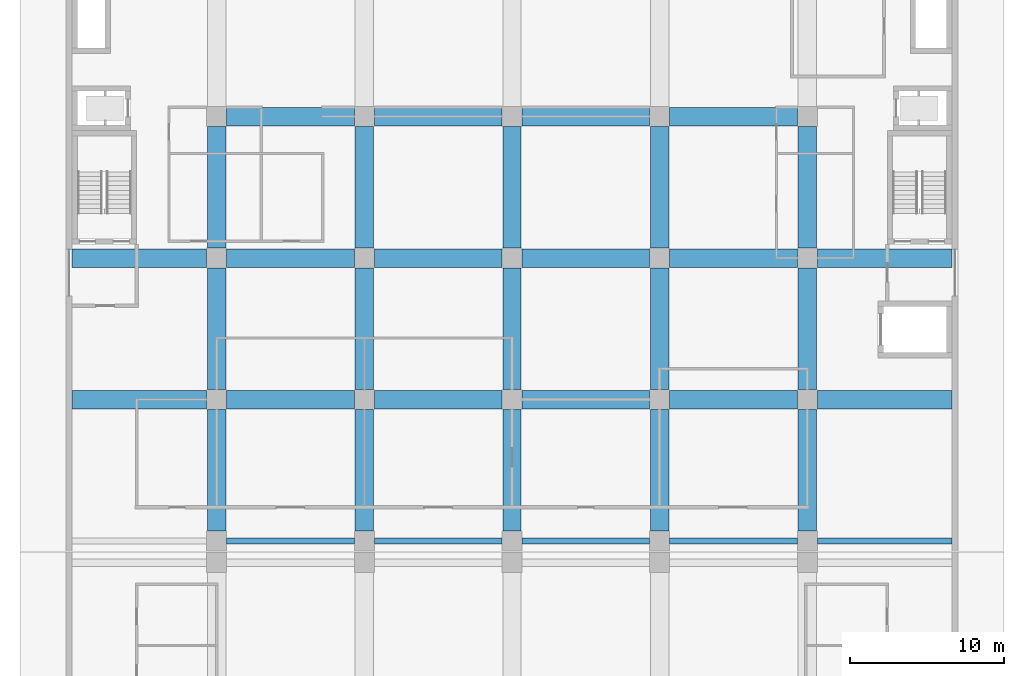
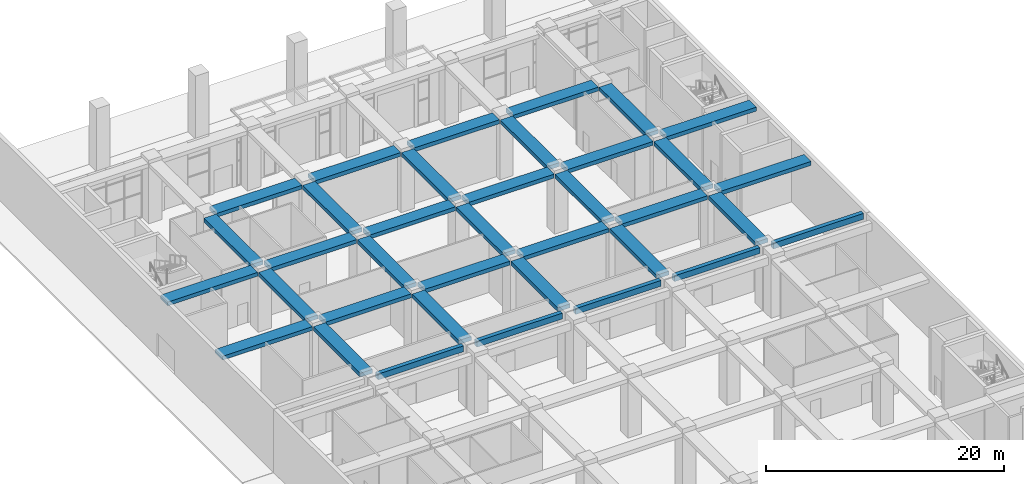
# One storey, part 4 of 45: 36 beams.
"""IFC4 building model written with IfcOpenShell, lengths in metres."""

from ifc_helpers import new_model, si_unit, direction, frame, origin, origin_2d, place, context, subcontext, project, spatial, rectangle, extrude, material, material_profile, profile_set, type_object, element, save


model = new_model("IFC4")

# Units and contexts
model_context = context("Model", 3, precision=1e-05, world=origin(), true_north=direction((0.0, 1.0)))
body_context = subcontext(model_context, "Body", "Model", "MODEL_VIEW")
ifc_project = project(units=[si_unit("LENGTHUNIT", "METRE"), si_unit("AREAUNIT", "SQUARE_METRE"), si_unit("VOLUMEUNIT", "CUBIC_METRE"), si_unit("PLANEANGLEUNIT", "RADIAN"), si_unit("MASSUNIT", "GRAM", prefix="KILO")], contexts=[model_context])

# Site, building, storey
site_placement = place(None, origin())
site = spatial("IfcSite", under=ifc_project, at=site_placement, CompositionType="ELEMENT")
building_placement = place(site_placement, origin())
building = spatial("IfcBuilding", under=site, at=building_placement, Name="Nzadi Deep Aquarium and Research Tower", CompositionType="ELEMENT")
storey_placement = place(building_placement, origin())
storey = spatial("IfcBuildingStorey", under=building, at=storey_placement, Name="G", CompositionType="ELEMENT", Elevation=0.0)

# Beams
ifc_material_1 = material(Name="Concrete C35/45", Category="concrete")
ifc_material_profile_1 = material_profile(ifc_material_1, rectangle(XDim=1.199951171875, YDim=0.39990234375, at=origin_2d()))
ifc_profile_set_1 = profile_set([ifc_material_profile_1], Name="Concrete C35/45")
beam_type_1 = type_object("IfcBeamType", Name="RC 1200x400", PredefinedType="BEAM", material=ifc_profile_set_1)
beam_1_placement = place(storey_placement, frame((0.199951171875, 104.0, 5.949951171875), z_axis=(1.0, 0.0, 0.0), x_axis=(0.0, 1.0, 0.0)))
element("IfcBeam", 1, at=beam_1_placement, inside=storey, type_object=beam_type_1, Name="B-Z3-G-L14-1", PredefinedType="BEAM", context=body_context, shape_type="SweptSolid", body=[
    extrude(rectangle(XDim=1.199951171875, YDim=0.39990234375, at=origin_2d()), origin(), (0.0, 0.0, 1.0), 8.75),
])
beam_2_placement = place(storey_placement, frame((10.25, 104.0, 5.949951171875), z_axis=(1.0, 0.0, 0.0), x_axis=(0.0, 1.0, 0.0)))
element("IfcBeam", 2, at=beam_2_placement, inside=storey, type_object=beam_type_1, Name="B-Z3-G-L14-2", PredefinedType="BEAM", context=body_context, shape_type="SweptSolid", body=[
    extrude(rectangle(XDim=1.199951171875, YDim=0.39990234375, at=origin_2d()), origin(), (0.0, 0.0, 1.0), 8.300048828125),
])
beam_3_placement = place(storey_placement, frame((19.85009765625, 104.0, 5.949951171875), z_axis=(1.0, 0.0, 0.0), x_axis=(0.0, 1.0, 0.0)))
element("IfcBeam", 3, at=beam_3_placement, inside=storey, type_object=beam_type_1, Name="B-Z3-G-L14-3", PredefinedType="BEAM", context=body_context, shape_type="SweptSolid", body=[
    extrude(rectangle(XDim=1.199951171875, YDim=0.39990234375, at=origin_2d()), origin(), (0.0, 0.0, 1.0), 8.2998046875),
])
for number, where, z_axis, x_axis, name in (
    (4, (29.449951171875, 104.0, 5.949951171875), (1.0, 0.0, 0.0), (0.0, 1.0, 0.0), "B-Z3-G-L14-4"),
    (5, (39.050048828125, 104.0, 5.949951171875), (1.0, 0.0, 0.0), (0.0, 1.0, 0.0), "B-Z3-G-L14-5"),
):
    element("IfcBeam", number, at=place(storey_placement, frame(where, z_axis=z_axis, x_axis=x_axis)), inside=storey, type_object=beam_type_1, Name=name, PredefinedType="BEAM", context=body_context, shape_type="SweptSolid", body=[
        extrude(rectangle(XDim=1.199951171875, YDim=0.39990234375, at=origin_2d()), origin(), (0.0, 0.0, 1.0), 8.300048828125),
    ])
for number, where, z_axis, x_axis, name in (
    (6, (48.64990234375, 104.0, 5.949951171875), (1.0, 0.0, 0.0), (0.0, 1.0, 0.0), "B-Z3-G-L14-6"),
    (7, (0.199951171875, 113.199951171875, 5.949951171875), (1.0, 0.0, 0.0), (0.0, 1.0, 0.0), "B-Z3-G-L15-1"),
):
    element("IfcBeam", number, at=place(storey_placement, frame(where, z_axis=z_axis, x_axis=x_axis)), inside=storey, type_object=beam_type_1, Name=name, PredefinedType="BEAM", context=body_context, shape_type="SweptSolid", body=[
        extrude(rectangle(XDim=1.199951171875, YDim=0.39990234375, at=origin_2d()), origin(), (0.0, 0.0, 1.0), 8.75),
    ])
beam_4_placement = place(storey_placement, frame((10.25, 113.199951171875, 5.949951171875), z_axis=(1.0, 0.0, 0.0), x_axis=(0.0, 1.0, 0.0)))
element("IfcBeam", 8, at=beam_4_placement, inside=storey, type_object=beam_type_1, Name="B-Z3-G-L15-2", PredefinedType="BEAM", context=body_context, shape_type="SweptSolid", body=[
    extrude(rectangle(XDim=1.199951171875, YDim=0.39990234375, at=origin_2d()), origin(), (0.0, 0.0, 1.0), 8.300048828125),
])
beam_5_placement = place(storey_placement, frame((19.85009765625, 113.199951171875, 5.949951171875), z_axis=(1.0, 0.0, 0.0), x_axis=(0.0, 1.0, 0.0)))
element("IfcBeam", 9, at=beam_5_placement, inside=storey, type_object=beam_type_1, Name="B-Z3-G-L15-3", PredefinedType="BEAM", context=body_context, shape_type="SweptSolid", body=[
    extrude(rectangle(XDim=1.199951171875, YDim=0.39990234375, at=origin_2d()), origin(), (0.0, 0.0, 1.0), 8.2998046875),
])
for number, where, z_axis, x_axis, name in (
    (10, (29.449951171875, 113.199951171875, 5.949951171875), (1.0, 0.0, 0.0), (0.0, 1.0, 0.0), "B-Z3-G-L15-4"),
    (11, (39.050048828125, 113.199951171875, 5.949951171875), (1.0, 0.0, 0.0), (0.0, 1.0, 0.0), "B-Z3-G-L15-5"),
):
    element("IfcBeam", number, at=place(storey_placement, frame(where, z_axis=z_axis, x_axis=x_axis)), inside=storey, type_object=beam_type_1, Name=name, PredefinedType="BEAM", context=body_context, shape_type="SweptSolid", body=[
        extrude(rectangle(XDim=1.199951171875, YDim=0.39990234375, at=origin_2d()), origin(), (0.0, 0.0, 1.0), 8.300048828125),
    ])
beam_6_placement = place(storey_placement, frame((48.64990234375, 113.199951171875, 5.949951171875), z_axis=(1.0, 0.0, 0.0), x_axis=(0.0, 1.0, 0.0)))
element("IfcBeam", 12, at=beam_6_placement, inside=storey, type_object=beam_type_1, Name="B-Z3-G-L15-6", PredefinedType="BEAM", context=body_context, shape_type="SweptSolid", body=[
    extrude(rectangle(XDim=1.199951171875, YDim=0.39990234375, at=origin_2d()), origin(), (0.0, 0.0, 1.0), 8.75),
])
beam_7_placement = place(storey_placement, frame((10.25, 122.39990234375, 5.949951171875), z_axis=(1.0, 0.0, 0.0), x_axis=(0.0, 1.0, 0.0)))
element("IfcBeam", 13, at=beam_7_placement, inside=storey, type_object=beam_type_1, Name="B-Z3-G-L16-2", PredefinedType="BEAM", context=body_context, shape_type="SweptSolid", body=[
    extrude(rectangle(XDim=1.199951171875, YDim=0.39990234375, at=origin_2d()), origin(), (0.0, 0.0, 1.0), 8.300048828125),
])
beam_8_placement = place(storey_placement, frame((19.85009765625, 122.39990234375, 5.949951171875), z_axis=(1.0, 0.0, 0.0), x_axis=(0.0, 1.0, 0.0)))
element("IfcBeam", 14, at=beam_8_placement, inside=storey, type_object=beam_type_1, Name="B-Z3-G-L16-3", PredefinedType="BEAM", context=body_context, shape_type="SweptSolid", body=[
    extrude(rectangle(XDim=1.199951171875, YDim=0.39990234375, at=origin_2d()), origin(), (0.0, 0.0, 1.0), 8.2998046875),
])
for number, where, z_axis, x_axis, name in (
    (15, (29.449951171875, 122.39990234375, 5.949951171875), (1.0, 0.0, 0.0), (0.0, 1.0, 0.0), "B-Z3-G-L16-4"),
    (16, (39.050048828125, 122.39990234375, 5.949951171875), (1.0, 0.0, 0.0), (0.0, 1.0, 0.0), "B-Z3-G-L16-5"),
):
    element("IfcBeam", number, at=place(storey_placement, frame(where, z_axis=z_axis, x_axis=x_axis)), inside=storey, type_object=beam_type_1, Name=name, PredefinedType="BEAM", context=body_context, shape_type="SweptSolid", body=[
        extrude(rectangle(XDim=1.199951171875, YDim=0.39990234375, at=origin_2d()), origin(), (0.0, 0.0, 1.0), 8.300048828125),
    ])
for number, where, z_axis, x_axis, name in (
    (17, (9.60009765625, 95.449951171875, 5.949951171875), (0.0, 1.0, 0.0), (-1.0, 0.0, 0.0), "B-Z3-G-CB-1-13"),
    (18, (9.60009765625, 104.64990234375, 5.949951171875), (0.0, 1.0, 0.0), (-1.0, 0.0, 0.0), "B-Z3-G-CB-2-13"),
):
    element("IfcBeam", number, at=place(storey_placement, frame(where, z_axis=z_axis, x_axis=x_axis)), inside=storey, type_object=beam_type_1, Name=name, PredefinedType="BEAM", context=body_context, shape_type="SweptSolid", body=[
        extrude(rectangle(XDim=1.199951171875, YDim=0.39990234375, at=origin_2d()), origin(), (0.0, 0.0, 1.0), 7.900146484375),
    ])
beam_9_placement = place(storey_placement, frame((9.60009765625, 113.85009765625, 5.949951171875), z_axis=(0.0, 1.0, 0.0), x_axis=(-1.0, 0.0, 0.0)))
element("IfcBeam", 19, at=beam_9_placement, inside=storey, type_object=beam_type_1, Name="B-Z3-G-CB-3-13", PredefinedType="BEAM", context=body_context, shape_type="SweptSolid", body=[
    extrude(rectangle(XDim=1.199951171875, YDim=0.39990234375, at=origin_2d()), origin(), (0.0, 0.0, 1.0), 7.89990234375),
])
for number, where, z_axis, x_axis, name in (
    (20, (19.199951171875, 95.449951171875, 5.949951171875), (0.0, 1.0, 0.0), (-1.0, 0.0, 0.0), "B-Z3-G-CC-1-13"),
    (21, (19.199951171875, 104.64990234375, 5.949951171875), (0.0, 1.0, 0.0), (-1.0, 0.0, 0.0), "B-Z3-G-CC-2-13"),
):
    element("IfcBeam", number, at=place(storey_placement, frame(where, z_axis=z_axis, x_axis=x_axis)), inside=storey, type_object=beam_type_1, Name=name, PredefinedType="BEAM", context=body_context, shape_type="SweptSolid", body=[
        extrude(rectangle(XDim=1.199951171875, YDim=0.39990234375, at=origin_2d()), origin(), (0.0, 0.0, 1.0), 7.900146484375),
    ])
beam_10_placement = place(storey_placement, frame((19.199951171875, 113.85009765625, 5.949951171875), z_axis=(0.0, 1.0, 0.0), x_axis=(-1.0, 0.0, 0.0)))
element("IfcBeam", 22, at=beam_10_placement, inside=storey, type_object=beam_type_1, Name="B-Z3-G-CC-3-13", PredefinedType="BEAM", context=body_context, shape_type="SweptSolid", body=[
    extrude(rectangle(XDim=1.199951171875, YDim=0.39990234375, at=origin_2d()), origin(), (0.0, 0.0, 1.0), 7.89990234375),
])
for number, where, z_axis, x_axis, name in (
    (23, (28.800048828125, 95.449951171875, 5.949951171875), (0.0, 1.0, 0.0), (-1.0, 0.0, 0.0), "B-Z3-G-CD-1-13"),
    (24, (28.800048828125, 104.64990234375, 5.949951171875), (0.0, 1.0, 0.0), (-1.0, 0.0, 0.0), "B-Z3-G-CD-2-13"),
):
    element("IfcBeam", number, at=place(storey_placement, frame(where, z_axis=z_axis, x_axis=x_axis)), inside=storey, type_object=beam_type_1, Name=name, PredefinedType="BEAM", context=body_context, shape_type="SweptSolid", body=[
        extrude(rectangle(XDim=1.199951171875, YDim=0.39990234375, at=origin_2d()), origin(), (0.0, 0.0, 1.0), 7.900146484375),
    ])
beam_11_placement = place(storey_placement, frame((28.800048828125, 113.85009765625, 5.949951171875), z_axis=(0.0, 1.0, 0.0), x_axis=(-1.0, 0.0, 0.0)))
element("IfcBeam", 25, at=beam_11_placement, inside=storey, type_object=beam_type_1, Name="B-Z3-G-CD-3-13", PredefinedType="BEAM", context=body_context, shape_type="SweptSolid", body=[
    extrude(rectangle(XDim=1.199951171875, YDim=0.39990234375, at=origin_2d()), origin(), (0.0, 0.0, 1.0), 7.89990234375),
])
for number, where, z_axis, x_axis, name in (
    (26, (38.39990234375, 95.449951171875, 5.949951171875), (0.0, 1.0, 0.0), (-1.0, 0.0, 0.0), "B-Z3-G-CE-1-13"),
    (27, (38.39990234375, 104.64990234375, 5.949951171875), (0.0, 1.0, 0.0), (-1.0, 0.0, 0.0), "B-Z3-G-CE-2-13"),
):
    element("IfcBeam", number, at=place(storey_placement, frame(where, z_axis=z_axis, x_axis=x_axis)), inside=storey, type_object=beam_type_1, Name=name, PredefinedType="BEAM", context=body_context, shape_type="SweptSolid", body=[
        extrude(rectangle(XDim=1.199951171875, YDim=0.39990234375, at=origin_2d()), origin(), (0.0, 0.0, 1.0), 7.900146484375),
    ])
beam_12_placement = place(storey_placement, frame((38.39990234375, 113.85009765625, 5.949951171875), z_axis=(0.0, 1.0, 0.0), x_axis=(-1.0, 0.0, 0.0)))
element("IfcBeam", 28, at=beam_12_placement, inside=storey, type_object=beam_type_1, Name="B-Z3-G-CE-3-13", PredefinedType="BEAM", context=body_context, shape_type="SweptSolid", body=[
    extrude(rectangle(XDim=1.199951171875, YDim=0.39990234375, at=origin_2d()), origin(), (0.0, 0.0, 1.0), 7.89990234375),
])
for number, where, z_axis, x_axis, name in (
    (29, (48.0, 95.449951171875, 5.949951171875), (0.0, 1.0, 0.0), (-1.0, 0.0, 0.0), "B-Z3-G-CF-1-13"),
    (30, (48.0, 104.64990234375, 5.949951171875), (0.0, 1.0, 0.0), (-1.0, 0.0, 0.0), "B-Z3-G-CF-2-13"),
):
    element("IfcBeam", number, at=place(storey_placement, frame(where, z_axis=z_axis, x_axis=x_axis)), inside=storey, type_object=beam_type_1, Name=name, PredefinedType="BEAM", context=body_context, shape_type="SweptSolid", body=[
        extrude(rectangle(XDim=1.199951171875, YDim=0.39990234375, at=origin_2d()), origin(), (0.0, 0.0, 1.0), 7.900146484375),
    ])
beam_13_placement = place(storey_placement, frame((48.0, 113.85009765625, 5.949951171875), z_axis=(0.0, 1.0, 0.0), x_axis=(-1.0, 0.0, 0.0)))
element("IfcBeam", 31, at=beam_13_placement, inside=storey, type_object=beam_type_1, Name="B-Z3-G-CF-3-13", PredefinedType="BEAM", context=body_context, shape_type="SweptSolid", body=[
    extrude(rectangle(XDim=1.199951171875, YDim=0.39990234375, at=origin_2d()), origin(), (0.0, 0.0, 1.0), 7.89990234375),
])
ifc_material_2 = material(Name="Concrete C35/45", Category="concrete")
ifc_material_profile_2 = material_profile(ifc_material_2, rectangle(XDim=0.39990234375, YDim=0.60009765625, at=origin_2d()))
ifc_profile_set_2 = profile_set([ifc_material_profile_2], Name="Concrete C35/45")
beam_type_2 = type_object("IfcBeamType", Name="RC 400x600", PredefinedType="BEAM", material=ifc_profile_set_2)
beam_14_placement = place(storey_placement, frame((10.25, 94.800048828125, 5.85009765625), z_axis=(1.0, 0.0, 0.0), x_axis=(0.0, 1.0, 0.0)))
element("IfcBeam", 32, at=beam_14_placement, inside=storey, type_object=beam_type_2, Name="B-Z3-G-L13-2", PredefinedType="BEAM", context=body_context, shape_type="SweptSolid", body=[
    extrude(rectangle(XDim=0.39990234375, YDim=0.60009765625, at=origin_2d()), origin(), (0.0, 0.0, 1.0), 8.300048828125),
])
beam_15_placement = place(storey_placement, frame((19.85009765625, 94.800048828125, 5.85009765625), z_axis=(1.0, 0.0, 0.0), x_axis=(0.0, 1.0, 0.0)))
element("IfcBeam", 33, at=beam_15_placement, inside=storey, type_object=beam_type_2, Name="B-Z3-G-L13-3", PredefinedType="BEAM", context=body_context, shape_type="SweptSolid", body=[
    extrude(rectangle(XDim=0.39990234375, YDim=0.60009765625, at=origin_2d()), origin(), (0.0, 0.0, 1.0), 8.2998046875),
])
for number, where, z_axis, x_axis, name in (
    (34, (29.449951171875, 94.800048828125, 5.85009765625), (1.0, 0.0, 0.0), (0.0, 1.0, 0.0), "B-Z3-G-L13-4"),
    (35, (39.050048828125, 94.800048828125, 5.85009765625), (1.0, 0.0, 0.0), (0.0, 1.0, 0.0), "B-Z3-G-L13-5"),
):
    element("IfcBeam", number, at=place(storey_placement, frame(where, z_axis=z_axis, x_axis=x_axis)), inside=storey, type_object=beam_type_2, Name=name, PredefinedType="BEAM", context=body_context, shape_type="SweptSolid", body=[
        extrude(rectangle(XDim=0.39990234375, YDim=0.60009765625, at=origin_2d()), origin(), (0.0, 0.0, 1.0), 8.300048828125),
    ])
beam_16_placement = place(storey_placement, frame((48.64990234375, 94.800048828125, 5.85009765625), z_axis=(1.0, 0.0, 0.0), x_axis=(0.0, 1.0, 0.0)))
element("IfcBeam", 36, at=beam_16_placement, inside=storey, type_object=beam_type_2, Name="B-Z3-G-L13-6", PredefinedType="BEAM", context=body_context, shape_type="SweptSolid", body=[
    extrude(rectangle(XDim=0.39990234375, YDim=0.60009765625, at=origin_2d()), origin(), (0.0, 0.0, 1.0), 8.75),
])

save(model, "model.ifc")
